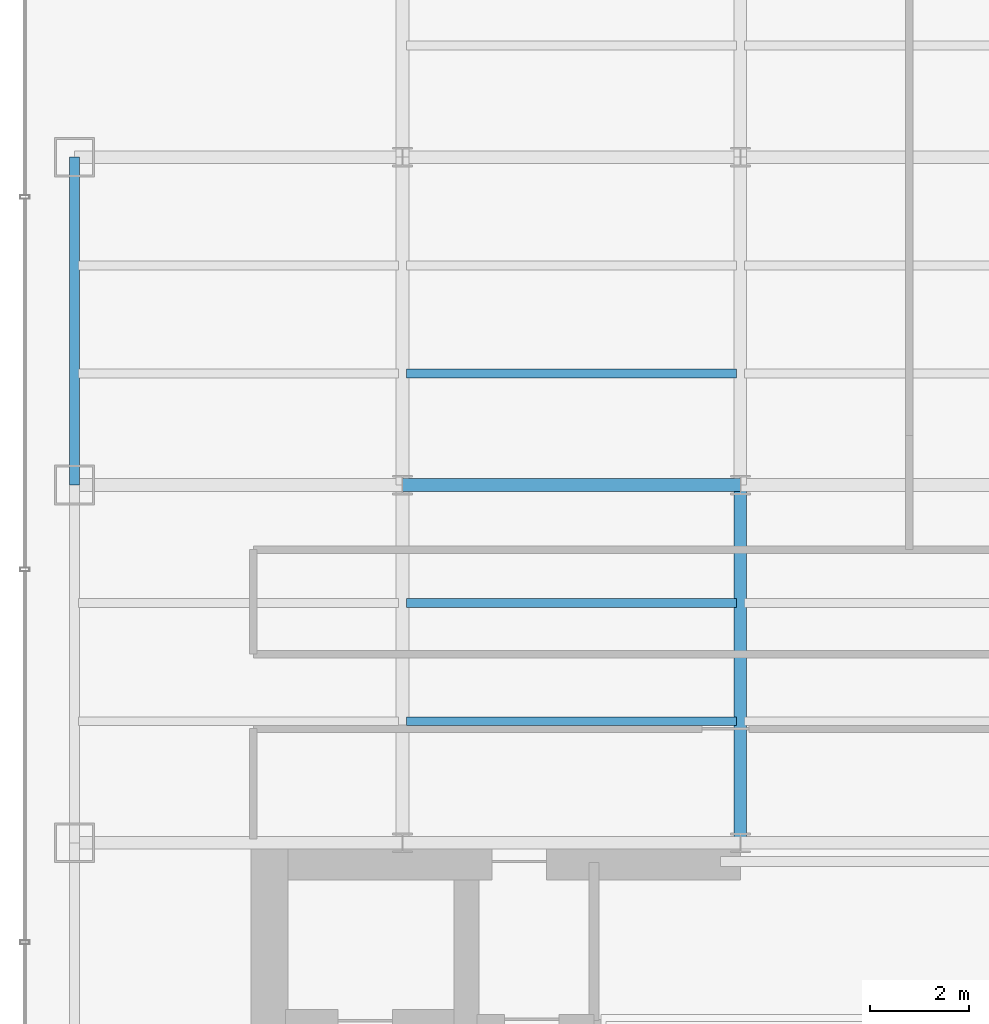
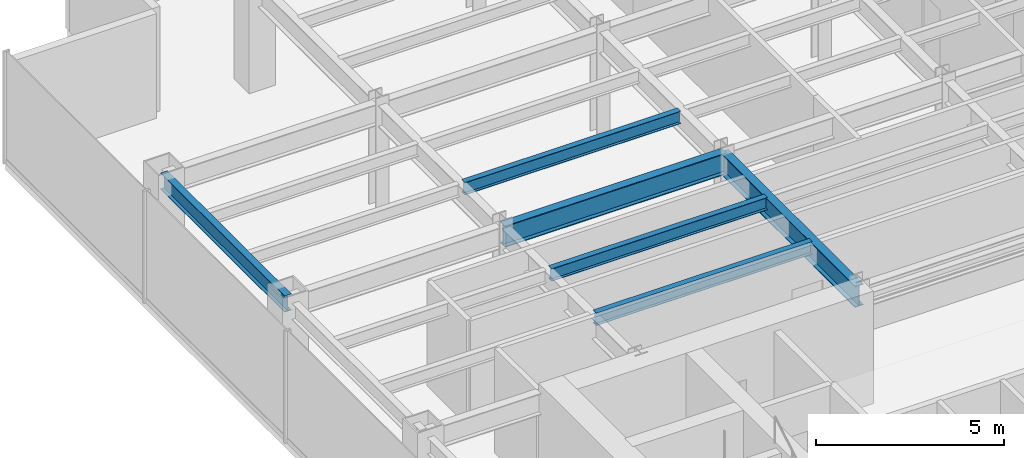
# One storey, part 5 of 26: 6 beams.
"""IFC4 building model written with IfcOpenShell, lengths in metres."""

import ifcopenshell
import ifcopenshell.guid

model = None  # the IFC model being written
_history = None  # IfcOwnerHistory: only IFC2X3 demands one
_inside = {}  # id of a spatial element -> (the spatial element, [elements in it])
_under = {}  # id of a project, library or spatial element -> (it, [spatial elements below it])
_declared = {}  # id of a project -> (the project, [libraries it declares])
_typed = {}  # id of a type object -> (the type object, [elements of that type])
_made_of = {}  # id of a material, layer set ... -> (it, [elements and type objects made of it])


def new_model(schema):
    """Start an empty IFC model of exactly this schema.

    Asked for "IFC4X3", IfcOpenShell would pick the latest addendum, in which some entities
    have other attributes; the version numbers below select the first issue.
    IFC2X3 requires an IfcOwnerHistory on every rooted entity: one is made here for all.
    """
    global model, _history
    if schema == "IFC4X3":
        model = ifcopenshell.file(schema_version=(4, 3, 0, 0))
    else:
        model = ifcopenshell.file(schema=schema)
    _inside.clear()
    _under.clear()
    _declared.clear()
    _typed.clear()
    _made_of.clear()
    _history = None
    if model.schema == "IFC2X3":
        org = make("IfcOrganization", Name="unknown")
        user = make(
            "IfcPersonAndOrganization",
            ThePerson=make("IfcPerson", FamilyName="unknown"),
            TheOrganization=org,
        )
        app = make(
            "IfcApplication",
            ApplicationDeveloper=org,
            Version="unknown",
            ApplicationFullName="unknown",
            ApplicationIdentifier="unknown",
        )
        _history = make(
            "IfcOwnerHistory",
            OwningUser=user,
            OwningApplication=app,
            ChangeAction="ADDED",
            CreationDate=0,
        )
    return model


def make(cls, **values):
    """One entity of the class cls with the attributes given. An attribute that is None is left unset."""
    return model.create_entity(
        cls, **{name: value for name, value in values.items() if value is not None}
    )


def rooted(cls, **values):
    """An entity with a GlobalId (a new one), such as an element, a storey or a relation."""
    return make(cls, GlobalId=ifcopenshell.guid.new(), OwnerHistory=_history, **values)


def si_unit(unit_type, name, prefix=None):
    """IfcSIUnit, for example si_unit("LENGTHUNIT", "METRE", prefix="MILLI")."""
    return make("IfcSIUnit", UnitType=unit_type, Prefix=prefix, Name=name)


def derived_unit(unit_type, elements):
    """IfcDerivedUnit: a product of units, each with its exponent."""
    return make(
        "IfcDerivedUnit",
        Elements=[
            make("IfcDerivedUnitElement", Unit=unit, Exponent=power)
            for unit, power in elements
        ],
        UnitType=unit_type,
    )


def assignment(units):
    """IfcUnitAssignment: the units of a project."""
    return None if units is None else make("IfcUnitAssignment", Units=units)


def point(xyz):
    """IfcCartesianPoint."""
    return None if xyz is None else make("IfcCartesianPoint", Coordinates=xyz)


def direction(xyz):
    """IfcDirection."""
    return None if xyz is None else make("IfcDirection", DirectionRatios=xyz)


def frame(location, z_axis=None, x_axis=None):
    """IfcAxis2Placement3D, a coordinate frame: its origin and axes. An axis left out is left unset."""
    return make(
        "IfcAxis2Placement3D",
        Location=point(location),
        Axis=direction(z_axis),
        RefDirection=direction(x_axis),
    )


def frame_2d(location, x_axis=None):
    """IfcAxis2Placement2D, a coordinate frame in the plane: its origin and x axis."""
    return make(
        "IfcAxis2Placement2D", Location=point(location), RefDirection=direction(x_axis)
    )


def origin():
    """The frame at (0, 0, 0) with its axes left unset."""
    return frame((0.0, 0.0, 0.0))


def origin_2d():
    """The frame at (0, 0) in the plane with its x axis left unset."""
    return frame_2d((0.0, 0.0))


def place(relative_to, where):
    """IfcLocalPlacement: puts the frame where relative to a parent placement (None: the world)."""
    return make(
        "IfcLocalPlacement", PlacementRelTo=relative_to, RelativePlacement=where
    )


def context(
    kind, dimensions, precision=None, world=None, true_north=None, identifier=None
):
    """IfcGeometricRepresentationContext, for example the 3D "Model" context."""
    return make(
        "IfcGeometricRepresentationContext",
        ContextIdentifier=identifier,
        ContextType=kind,
        CoordinateSpaceDimension=dimensions,
        Precision=precision,
        WorldCoordinateSystem=world,
        TrueNorth=true_north,
    )


def subcontext(parent, identifier, kind, view, scale=None):
    """IfcGeometricRepresentationSubContext, for example "Body" below "Model"."""
    return make(
        "IfcGeometricRepresentationSubContext",
        ContextIdentifier=identifier,
        ContextType=kind,
        ParentContext=parent,
        TargetScale=scale,
        TargetView=view,
    )


def project(units=None, contexts=None):
    """IfcProject with its units and contexts."""
    return rooted(
        "IfcProject",
        Name="project",
        RepresentationContexts=contexts,
        UnitsInContext=assignment(units),
    )


def spatial(cls, under=None, at=None, **own):
    """A site, building, storey or space (cls), placed at a placement, below another one or the project."""
    s = rooted(cls, ObjectPlacement=at, **own)
    if under is not None:
        _under.setdefault(under.id(), (under, []))[1].append(s)
    return s


def profile(cls, at=None, kind="AREA", **sizes):
    """A parametric profile (cls). Its sizes go by their IFC names, for example OverallWidth=200.0."""
    return make(cls, ProfileType=kind, Position=at, **sizes)


def i_section(**sizes):
    """IfcIShapeProfileDef."""
    return profile("IfcIShapeProfileDef", **sizes)


def extrude(swept, where, along, depth):
    """IfcExtrudedAreaSolid: the profile swept, set in the frame where, extruded along a direction by depth."""
    return make(
        "IfcExtrudedAreaSolid",
        SweptArea=swept,
        Position=where,
        ExtrudedDirection=direction(along),
        Depth=depth,
    )


def shape(context_of_items, identifier, shape_type, items):
    """IfcShapeRepresentation: the items that make up one representation, for example the "Body"."""
    return make(
        "IfcShapeRepresentation",
        ContextOfItems=context_of_items,
        RepresentationIdentifier=identifier,
        RepresentationType=shape_type,
        Items=items,
    )


def source(mapping_origin, context_of_items, identifier, shape_type, items):
    """IfcRepresentationMap: a shape defined once, which mapped items show again and again."""
    return make(
        "IfcRepresentationMap",
        MappingOrigin=mapping_origin,
        MappedRepresentation=shape(context_of_items, identifier, shape_type, items),
    )


def transform(
    local_origin,
    x_axis=None,
    y_axis=None,
    z_axis=None,
    scale=None,
    scale2=None,
    scale3=None,
    uniform=True,
):
    """IfcCartesianTransformationOperator3D, or its non-uniform kind. x_axis, y_axis, z_axis: its Axis1, 2, 3."""
    if uniform:
        return make(
            "IfcCartesianTransformationOperator3D",
            Axis1=direction(x_axis),
            Axis2=direction(y_axis),
            LocalOrigin=point(local_origin),
            Scale=scale,
            Axis3=direction(z_axis),
        )
    return make(
        "IfcCartesianTransformationOperator3DnonUniform",
        Axis1=direction(x_axis),
        Axis2=direction(y_axis),
        LocalOrigin=point(local_origin),
        Scale=scale,
        Axis3=direction(z_axis),
        Scale2=scale2,
        Scale3=scale3,
    )


def mapped(mapping_source, mapping_target):
    """IfcMappedItem: shows the shape of a source again, moved by a transform."""
    return make(
        "IfcMappedItem", MappingSource=mapping_source, MappingTarget=mapping_target
    )


def material(Name=None, Category=None):
    """IfcMaterial."""
    return make("IfcMaterial", Name=Name, Category=Category)


def material_profile(
    of_material, cross_section, Name=None, Category=None, Priority=None
):
    """IfcMaterialProfile: a cross section and its material."""
    return make(
        "IfcMaterialProfile",
        Name=Name,
        Material=of_material,
        Profile=cross_section,
        Priority=Priority,
        Category=Category,
    )


def profile_set(profiles, Name=None, composite=None):
    """IfcMaterialProfileSet."""
    return make(
        "IfcMaterialProfileSet",
        Name=Name,
        MaterialProfiles=profiles,
        CompositeProfile=composite,
    )


def made_of(thing, what):
    """Note that an element or type object is made of a material, layer set ...; save() writes the relation."""
    if what is not None:
        _made_of.setdefault(what.id(), (what, []))[1].append(thing)
    return thing


def type_object(cls, material=None, **own):
    """A type object (cls), such as IfcWallType, which elements share."""
    return made_of(rooted(cls, **own), material)


def element(
    cls,
    number,
    at=None,
    inside=None,
    cuts=None,
    type_object=None,
    material=None,
    context=None,
    identifier="Body",
    shape_type=None,
    held_by="IfcProductDefinitionShape",
    body=None,
    shapes=None,
    **own,
):
    """One element of the class cls, such as IfcWall. Its Tag is "e" and its number.

    at: its placement. inside: the storey or other place that contains it. cuts: it is an
    opening in that element (IfcRelVoidsElement). A single representation is given by context,
    identifier, shape_type and body (its items); several are given by shapes. held_by: the class
    of the entity that holds the representations. save() writes the other relations.
    """
    e = rooted(cls, Tag="e%d" % number, ObjectPlacement=at, **own)
    if body is not None:
        shapes = [shape(context, identifier, shape_type, body)]
    if shapes is not None:
        e.Representation = make(held_by, Representations=shapes)
    if inside is not None:
        _inside.setdefault(inside.id(), (inside, []))[1].append(e)
    if cuts is not None:
        rooted(
            "IfcRelVoidsElement", RelatingBuildingElement=cuts, RelatedOpeningElement=e
        )
    if type_object is not None:
        _typed.setdefault(type_object.id(), (type_object, []))[1].append(e)
    return made_of(e, material)


def aggregate(whole, parts):
    """IfcRelAggregates: a whole, such as a stair, and the parts it consists of."""
    return rooted("IfcRelAggregates", RelatingObject=whole, RelatedObjects=parts)


def save(model, path):
    """Write the relations noted so far, then the file.

    IfcRelAggregates (storeys below a building ...), IfcRelContainedInSpatialStructure (elements
    in a storey), IfcRelDefinesByType, IfcRelAssociatesMaterial and IfcRelDeclares: one each for
    every whole, place, type object, material and project.
    """
    for whole, parts in _under.values():
        aggregate(whole, parts)
    for where, things in _inside.values():
        rooted(
            "IfcRelContainedInSpatialStructure",
            RelatedElements=things,
            RelatingStructure=where,
        )
    for kind, things in _typed.values():
        rooted("IfcRelDefinesByType", RelatedObjects=things, RelatingType=kind)
    for what, things in _made_of.values():
        rooted("IfcRelAssociatesMaterial", RelatedObjects=things, RelatingMaterial=what)
    for by, libraries in _declared.values():
        rooted("IfcRelDeclares", RelatingContext=by, RelatedDefinitions=libraries)
    model.write(path)


model = new_model("IFC4")

# Units and contexts
model_context = context("Model", 3, precision=1e-05, world=origin(), true_north=direction((0.0, 1.0)))
body_context = subcontext(model_context, "Body", "Model", "MODEL_VIEW")
ifc_project = project(units=[si_unit("LENGTHUNIT", "METRE"), si_unit("AREAUNIT", "SQUARE_METRE"), si_unit("VOLUMEUNIT", "CUBIC_METRE"), si_unit("PLANEANGLEUNIT", "RADIAN"), si_unit("MASSUNIT", "GRAM", prefix="KILO"), derived_unit("THERMALTRANSMITTANCEUNIT", [(si_unit("POWERUNIT", "WATT"), 1), (si_unit("LENGTHUNIT", "METRE"), -2), (si_unit("THERMODYNAMICTEMPERATUREUNIT", "KELVIN"), -1)])], contexts=[model_context])

# Site, building, storey
site_placement = place(None, origin())
site = spatial("IfcSite", under=ifc_project, at=site_placement, CompositionType="ELEMENT")
building_placement = place(site_placement, origin())
building = spatial("IfcBuilding", under=site, at=building_placement, Name="Skarnbrae Concourse Arena and Tower", CompositionType="ELEMENT")
storey_placement = place(building_placement, frame((0.0, 0.0, 114.199951171875)))
storey = spatial("IfcBuildingStorey", under=building, at=storey_placement, Name="L28", CompositionType="ELEMENT", Elevation=114.199951171875)

# Beams
ifc_material = material(Name="Steel CSA G40.21 350W", Category="steel")
ifc_material_profile_1 = material_profile(ifc_material, i_section(OverallWidth=0.256103515625, OverallDepth=0.693115234375, WebThickness=0.014404296875, FlangeThickness=0.023681640625, at=origin_2d()), Name="W690X170")
ifc_profile_set_1 = profile_set([ifc_material_profile_1], Name="Steel CSA G40.21 350W")
beam_type_1 = type_object("IfcBeamType", Name="BM-GIRD-W690X170", PredefinedType="BEAM", material=ifc_profile_set_1)
shared_shape_1 = source(origin(), body_context, "Body", "SweptSolid", [
    extrude(i_section(OverallWidth=0.256103515625, OverallDepth=0.693115234375, WebThickness=0.014404296875, FlangeThickness=0.023681640625, at=origin_2d()), origin(), (0.0, 0.0, 1.0), 6.7998046875),
])
beam_1_placement = place(storey_placement, frame((7.60009765625, 21.199951171875, 3.053466796875), z_axis=(1.0, 0.0, 0.0), x_axis=(0.0, 1.0, 0.0)))
element("IfcBeam", 1, at=beam_1_placement, inside=storey, type_object=beam_type_1, Name="L28 Primary E-W girder Y21.2-2", PredefinedType="BEAM", context=body_context, shape_type="MappedRepresentation", body=[
    mapped(shared_shape_1, transform((0.0, 0.0, 0.0))),
])
ifc_material_profile_2 = material_profile(ifc_material, i_section(OverallWidth=0.208984375, OverallDepth=0.532958984375, WebThickness=0.01025390625, FlangeThickness=0.015625, at=origin_2d()), Name="W530X92")
ifc_profile_set_2 = profile_set([ifc_material_profile_2], Name="Steel CSA G40.21 350W")
beam_type_2 = type_object("IfcBeamType", Name="BM-SPAN-W530X92", PredefinedType="SPANDREL", material=ifc_profile_set_2)
shared_shape_2 = source(origin(), body_context, "Body", "SweptSolid", [
    extrude(i_section(OverallWidth=0.208984375, OverallDepth=0.532958984375, WebThickness=0.01025390625, FlangeThickness=0.015625, at=origin_2d()), origin(), (0.0, 0.0, 1.0), 6.60009765625),
])
beam_2_placement = place(storey_placement, frame((1.0, 21.199951171875, 3.133544921875), z_axis=(0.0, 1.0, 0.0), x_axis=(-1.0, 0.0, 0.0)))
element("IfcBeam", 2, at=beam_2_placement, inside=storey, type_object=beam_type_2, Name="L28 Perimeter spandrel X1.0-3", PredefinedType="SPANDREL", context=body_context, shape_type="MappedRepresentation", body=[
    mapped(shared_shape_2, transform((0.0, 0.0, 0.0))),
])
shared_shape_3 = source(origin(), body_context, "Body", "SweptSolid", [
    extrude(i_section(OverallWidth=0.256103515625, OverallDepth=0.693115234375, WebThickness=0.014404296875, FlangeThickness=0.023681640625, at=origin_2d()), origin(), (0.0, 0.0, 1.0), 7.199951171875),
])
beam_3_placement = place(storey_placement, frame((14.39990234375, 14.0, 3.053466796875), z_axis=(0.0, 1.0, 0.0), x_axis=(-1.0, 0.0, 0.0)))
element("IfcBeam", 3, at=beam_3_placement, inside=storey, type_object=beam_type_1, Name="L28 Primary N-S girder X14.4-1", PredefinedType="BEAM", context=body_context, shape_type="MappedRepresentation", body=[
    mapped(shared_shape_3, transform((0.0, 0.0, 0.0))),
])
ifc_material_profile_3 = material_profile(ifc_material, i_section(OverallWidth=0.177978515625, OverallDepth=0.406982421875, WebThickness=0.0078125, FlangeThickness=0.0126953125, at=origin_2d()), Name="W410X60")
ifc_profile_set_3 = profile_set([ifc_material_profile_3], Name="Steel CSA G40.21 350W")
beam_type_3 = type_object("IfcBeamType", Name="BM-JOIST-W410X60", PredefinedType="JOIST", material=ifc_profile_set_3)
shared_shape_4 = source(origin(), body_context, "Body", "SweptSolid", [
    extrude(i_section(OverallWidth=0.177978515625, OverallDepth=0.406982421875, WebThickness=0.0078125, FlangeThickness=0.0126953125, at=origin_2d()), origin(), (0.0, 0.0, 1.0), 6.64013671875),
])
for number, where, z_axis, x_axis, name in (
    (4, (7.679931640625, 16.447998046875, 3.196533203125), (1.0, 0.0, 0.0), (0.0, 1.0, 0.0), "L28 Secondary floor joist 1.1.2"),
    (5, (7.679931640625, 18.823974609375, 3.196533203125), (1.0, 0.0, 0.0), (0.0, 1.0, 0.0), "L28 Secondary floor joist 1.2.2"),
    (6, (7.679931640625, 23.444091796875, 3.196533203125), (1.0, 0.0, 0.0), (0.0, 1.0, 0.0), "L28 Secondary floor joist 2.1.2"),
):
    element("IfcBeam", number, at=place(storey_placement, frame(where, z_axis=z_axis, x_axis=x_axis)), inside=storey, type_object=beam_type_3, Name=name, PredefinedType="JOIST", context=body_context, shape_type="MappedRepresentation", body=[
        mapped(shared_shape_4, transform((0.0, 0.0, 0.0))),
    ])

save(model, "model.ifc")
